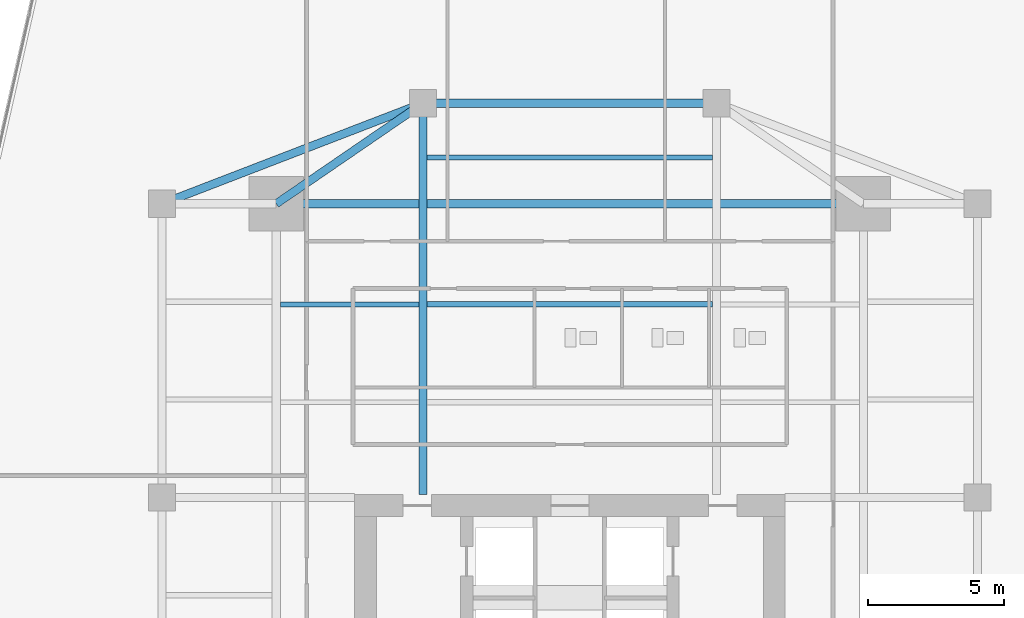
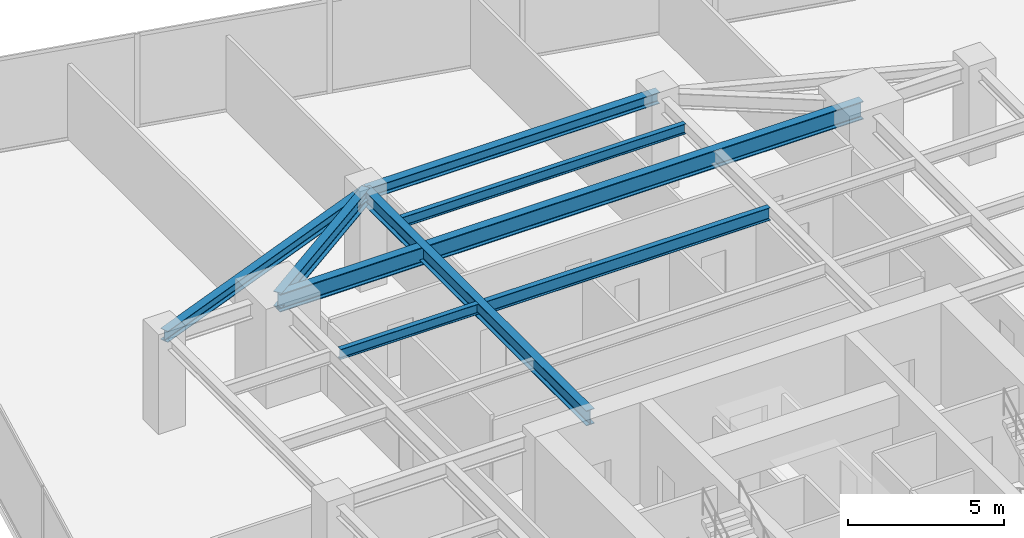
# One storey, part 16 of 27: 8 beams.
"""IFC4 building model written with IfcOpenShell, lengths in metres."""

import ifcopenshell
import ifcopenshell.guid

model = None  # the IFC model being written
_history = None  # IfcOwnerHistory: only IFC2X3 demands one
_inside = {}  # id of a spatial element -> (the spatial element, [elements in it])
_under = {}  # id of a project, library or spatial element -> (it, [spatial elements below it])
_declared = {}  # id of a project -> (the project, [libraries it declares])
_typed = {}  # id of a type object -> (the type object, [elements of that type])
_made_of = {}  # id of a material, layer set ... -> (it, [elements and type objects made of it])


def new_model(schema):
    """Start an empty IFC model of exactly this schema.

    Asked for "IFC4X3", IfcOpenShell would pick the latest addendum, in which some entities
    have other attributes; the version numbers below select the first issue.
    IFC2X3 requires an IfcOwnerHistory on every rooted entity: one is made here for all.
    """
    global model, _history
    if schema == "IFC4X3":
        model = ifcopenshell.file(schema_version=(4, 3, 0, 0))
    else:
        model = ifcopenshell.file(schema=schema)
    _inside.clear()
    _under.clear()
    _declared.clear()
    _typed.clear()
    _made_of.clear()
    _history = None
    if model.schema == "IFC2X3":
        org = make("IfcOrganization", Name="unknown")
        user = make(
            "IfcPersonAndOrganization",
            ThePerson=make("IfcPerson", FamilyName="unknown"),
            TheOrganization=org,
        )
        app = make(
            "IfcApplication",
            ApplicationDeveloper=org,
            Version="unknown",
            ApplicationFullName="unknown",
            ApplicationIdentifier="unknown",
        )
        _history = make(
            "IfcOwnerHistory",
            OwningUser=user,
            OwningApplication=app,
            ChangeAction="ADDED",
            CreationDate=0,
        )
    return model


def make(cls, **values):
    """One entity of the class cls with the attributes given. An attribute that is None is left unset."""
    return model.create_entity(
        cls, **{name: value for name, value in values.items() if value is not None}
    )


def rooted(cls, **values):
    """An entity with a GlobalId (a new one), such as an element, a storey or a relation."""
    return make(cls, GlobalId=ifcopenshell.guid.new(), OwnerHistory=_history, **values)


def si_unit(unit_type, name, prefix=None):
    """IfcSIUnit, for example si_unit("LENGTHUNIT", "METRE", prefix="MILLI")."""
    return make("IfcSIUnit", UnitType=unit_type, Prefix=prefix, Name=name)


def assignment(units):
    """IfcUnitAssignment: the units of a project."""
    return None if units is None else make("IfcUnitAssignment", Units=units)


def point(xyz):
    """IfcCartesianPoint."""
    return None if xyz is None else make("IfcCartesianPoint", Coordinates=xyz)


def direction(xyz):
    """IfcDirection."""
    return None if xyz is None else make("IfcDirection", DirectionRatios=xyz)


def frame(location, z_axis=None, x_axis=None):
    """IfcAxis2Placement3D, a coordinate frame: its origin and axes. An axis left out is left unset."""
    return make(
        "IfcAxis2Placement3D",
        Location=point(location),
        Axis=direction(z_axis),
        RefDirection=direction(x_axis),
    )


def frame_2d(location, x_axis=None):
    """IfcAxis2Placement2D, a coordinate frame in the plane: its origin and x axis."""
    return make(
        "IfcAxis2Placement2D", Location=point(location), RefDirection=direction(x_axis)
    )


def origin():
    """The frame at (0, 0, 0) with its axes left unset."""
    return frame((0.0, 0.0, 0.0))


def origin_2d():
    """The frame at (0, 0) in the plane with its x axis left unset."""
    return frame_2d((0.0, 0.0))


def place(relative_to, where):
    """IfcLocalPlacement: puts the frame where relative to a parent placement (None: the world)."""
    return make(
        "IfcLocalPlacement", PlacementRelTo=relative_to, RelativePlacement=where
    )


def context(
    kind, dimensions, precision=None, world=None, true_north=None, identifier=None
):
    """IfcGeometricRepresentationContext, for example the 3D "Model" context."""
    return make(
        "IfcGeometricRepresentationContext",
        ContextIdentifier=identifier,
        ContextType=kind,
        CoordinateSpaceDimension=dimensions,
        Precision=precision,
        WorldCoordinateSystem=world,
        TrueNorth=true_north,
    )


def subcontext(parent, identifier, kind, view, scale=None):
    """IfcGeometricRepresentationSubContext, for example "Body" below "Model"."""
    return make(
        "IfcGeometricRepresentationSubContext",
        ContextIdentifier=identifier,
        ContextType=kind,
        ParentContext=parent,
        TargetScale=scale,
        TargetView=view,
    )


def project(units=None, contexts=None):
    """IfcProject with its units and contexts."""
    return rooted(
        "IfcProject",
        Name="project",
        RepresentationContexts=contexts,
        UnitsInContext=assignment(units),
    )


def spatial(cls, under=None, at=None, **own):
    """A site, building, storey or space (cls), placed at a placement, below another one or the project."""
    s = rooted(cls, ObjectPlacement=at, **own)
    if under is not None:
        _under.setdefault(under.id(), (under, []))[1].append(s)
    return s


def profile(cls, at=None, kind="AREA", **sizes):
    """A parametric profile (cls). Its sizes go by their IFC names, for example OverallWidth=200.0."""
    return make(cls, ProfileType=kind, Position=at, **sizes)


def i_section(**sizes):
    """IfcIShapeProfileDef."""
    return profile("IfcIShapeProfileDef", **sizes)


def extrude(swept, where, along, depth):
    """IfcExtrudedAreaSolid: the profile swept, set in the frame where, extruded along a direction by depth."""
    return make(
        "IfcExtrudedAreaSolid",
        SweptArea=swept,
        Position=where,
        ExtrudedDirection=direction(along),
        Depth=depth,
    )


def shape(context_of_items, identifier, shape_type, items):
    """IfcShapeRepresentation: the items that make up one representation, for example the "Body"."""
    return make(
        "IfcShapeRepresentation",
        ContextOfItems=context_of_items,
        RepresentationIdentifier=identifier,
        RepresentationType=shape_type,
        Items=items,
    )


def source(mapping_origin, context_of_items, identifier, shape_type, items):
    """IfcRepresentationMap: a shape defined once, which mapped items show again and again."""
    return make(
        "IfcRepresentationMap",
        MappingOrigin=mapping_origin,
        MappedRepresentation=shape(context_of_items, identifier, shape_type, items),
    )


def transform(
    local_origin,
    x_axis=None,
    y_axis=None,
    z_axis=None,
    scale=None,
    scale2=None,
    scale3=None,
    uniform=True,
):
    """IfcCartesianTransformationOperator3D, or its non-uniform kind. x_axis, y_axis, z_axis: its Axis1, 2, 3."""
    if uniform:
        return make(
            "IfcCartesianTransformationOperator3D",
            Axis1=direction(x_axis),
            Axis2=direction(y_axis),
            LocalOrigin=point(local_origin),
            Scale=scale,
            Axis3=direction(z_axis),
        )
    return make(
        "IfcCartesianTransformationOperator3DnonUniform",
        Axis1=direction(x_axis),
        Axis2=direction(y_axis),
        LocalOrigin=point(local_origin),
        Scale=scale,
        Axis3=direction(z_axis),
        Scale2=scale2,
        Scale3=scale3,
    )


def mapped(mapping_source, mapping_target):
    """IfcMappedItem: shows the shape of a source again, moved by a transform."""
    return make(
        "IfcMappedItem", MappingSource=mapping_source, MappingTarget=mapping_target
    )


def material(Name=None, Category=None):
    """IfcMaterial."""
    return make("IfcMaterial", Name=Name, Category=Category)


def material_profile(
    of_material, cross_section, Name=None, Category=None, Priority=None
):
    """IfcMaterialProfile: a cross section and its material."""
    return make(
        "IfcMaterialProfile",
        Name=Name,
        Material=of_material,
        Profile=cross_section,
        Priority=Priority,
        Category=Category,
    )


def profile_set(profiles, Name=None, composite=None):
    """IfcMaterialProfileSet."""
    return make(
        "IfcMaterialProfileSet",
        Name=Name,
        MaterialProfiles=profiles,
        CompositeProfile=composite,
    )


def made_of(thing, what):
    """Note that an element or type object is made of a material, layer set ...; save() writes the relation."""
    if what is not None:
        _made_of.setdefault(what.id(), (what, []))[1].append(thing)
    return thing


def type_object(cls, material=None, **own):
    """A type object (cls), such as IfcWallType, which elements share."""
    return made_of(rooted(cls, **own), material)


def type_shapes(of_type, sources):
    """Give a type object the sources (RepresentationMaps) that its elements show as mapped items."""
    of_type.RepresentationMaps = sources


def element(
    cls,
    number,
    at=None,
    inside=None,
    cuts=None,
    type_object=None,
    material=None,
    context=None,
    identifier="Body",
    shape_type=None,
    held_by="IfcProductDefinitionShape",
    body=None,
    shapes=None,
    **own,
):
    """One element of the class cls, such as IfcWall. Its Tag is "e" and its number.

    at: its placement. inside: the storey or other place that contains it. cuts: it is an
    opening in that element (IfcRelVoidsElement). A single representation is given by context,
    identifier, shape_type and body (its items); several are given by shapes. held_by: the class
    of the entity that holds the representations. save() writes the other relations.
    """
    e = rooted(cls, Tag="e%d" % number, ObjectPlacement=at, **own)
    if body is not None:
        shapes = [shape(context, identifier, shape_type, body)]
    if shapes is not None:
        e.Representation = make(held_by, Representations=shapes)
    if inside is not None:
        _inside.setdefault(inside.id(), (inside, []))[1].append(e)
    if cuts is not None:
        rooted(
            "IfcRelVoidsElement", RelatingBuildingElement=cuts, RelatedOpeningElement=e
        )
    if type_object is not None:
        _typed.setdefault(type_object.id(), (type_object, []))[1].append(e)
    return made_of(e, material)


def aggregate(whole, parts):
    """IfcRelAggregates: a whole, such as a stair, and the parts it consists of."""
    return rooted("IfcRelAggregates", RelatingObject=whole, RelatedObjects=parts)


def save(model, path):
    """Write the relations noted so far, then the file.

    IfcRelAggregates (storeys below a building ...), IfcRelContainedInSpatialStructure (elements
    in a storey), IfcRelDefinesByType, IfcRelAssociatesMaterial and IfcRelDeclares: one each for
    every whole, place, type object, material and project.
    """
    for whole, parts in _under.values():
        aggregate(whole, parts)
    for where, things in _inside.values():
        rooted(
            "IfcRelContainedInSpatialStructure",
            RelatedElements=things,
            RelatingStructure=where,
        )
    for kind, things in _typed.values():
        rooted("IfcRelDefinesByType", RelatedObjects=things, RelatingType=kind)
    for what, things in _made_of.values():
        rooted("IfcRelAssociatesMaterial", RelatedObjects=things, RelatingMaterial=what)
    for by, libraries in _declared.values():
        rooted("IfcRelDeclares", RelatingContext=by, RelatedDefinitions=libraries)
    model.write(path)


model = new_model("IFC4")

# Units and contexts
model_context = context("Model", 3, precision=1e-05, world=origin(), true_north=direction((0.0, 1.0)))
body_context = subcontext(model_context, "Body", "Model", "MODEL_VIEW")
ifc_project = project(units=[si_unit("LENGTHUNIT", "METRE"), si_unit("AREAUNIT", "SQUARE_METRE"), si_unit("VOLUMEUNIT", "CUBIC_METRE"), si_unit("PLANEANGLEUNIT", "RADIAN"), si_unit("MASSUNIT", "GRAM", prefix="KILO")], contexts=[model_context])

# Site, building, storey
site_placement = place(None, origin())
site = spatial("IfcSite", under=ifc_project, at=site_placement, CompositionType="ELEMENT")
building_placement = place(site_placement, origin())
building = spatial("IfcBuilding", under=site, at=building_placement, Name="Krantzveldt Concourse Tower", CompositionType="ELEMENT")
storey_placement = place(building_placement, frame((0.0, 0.0, 86.10009765625)))
storey = spatial("IfcBuildingStorey", under=building, at=storey_placement, Name="L20", CompositionType="ELEMENT", Elevation=86.10009765625)

# Beams
ifc_material_1 = material(Name="Steel S355J2", Category="steel")
ifc_material_profile_1 = material_profile(ifc_material_1, i_section(OverallWidth=0.300048828125, OverallDepth=0.699951171875, WebThickness=0.01708984375, FlangeThickness=0.031982421875, FilletRadius=0.027099609375, at=origin_2d()), Name="Steel S355J2", Category="steel")
ifc_profile_set_1 = profile_set([ifc_material_profile_1], Name="Steel S355J2 - HEB 700")
beam_type_1 = type_object("IfcBeamType", Name="BM-B-HEB700", PredefinedType="BEAM", material=ifc_profile_set_1)
shared_shape_1 = source(origin(), body_context, "Body", "SweptSolid", [
    extrude(i_section(OverallWidth=0.300048828125, OverallDepth=0.699951171875, WebThickness=0.01708984375, FlangeThickness=0.031982421875, FilletRadius=0.027099609375, at=origin_2d()), origin(), (0.0, 0.0, 1.0), 21.60009765625),
])
type_shapes(beam_type_1, [shared_shape_1])
beam_1_placement = place(storey_placement, frame((25.199951171875, 37.5, 3.31982421875), z_axis=(1.0, 0.0, 0.0), x_axis=(0.0, 1.0, 0.0)))
element("IfcBeam", 1, at=beam_1_placement, inside=storey, type_object=beam_type_1, Name="L20 Tower Girder BG-MN", PredefinedType="BEAM", context=body_context, shape_type="MappedRepresentation", body=[
    mapped(shared_shape_1, transform((0.0, 0.0, 0.0), x_axis=(1.0, 0.0, 0.0), y_axis=(0.0, 1.0, 0.0), z_axis=(0.0, 0.0, 1.0), scale=1.0)),
])
ifc_material_2 = material(Name="Steel S355JR", Category="steel")
ifc_material_profile_2 = material_profile(ifc_material_2, i_section(OverallWidth=0.300048828125, OverallDepth=0.590087890625, WebThickness=0.012939453125, FlangeThickness=0.02490234375, FilletRadius=0.027099609375, at=origin_2d()), Name="Steel S355JR", Category="steel")
ifc_profile_set_2 = profile_set([ifc_material_profile_2], Name="Steel S355JR - HEA 600")
beam_type_2 = type_object("IfcBeamType", Name="BM-B-HEA600", PredefinedType="BEAM", material=ifc_profile_set_2)
shared_shape_2 = source(origin(), body_context, "Body", "SweptSolid", [
    extrude(i_section(OverallWidth=0.300048828125, OverallDepth=0.590087890625, WebThickness=0.012939453125, FlangeThickness=0.02490234375, FilletRadius=0.027099609375, at=origin_2d()), origin(), (0.0, 0.0, 1.0), 14.39990234375),
])
beam_2_placement = place(storey_placement, frame((30.60009765625, 26.800048828125, 3.375), z_axis=(0.0, 1.0, 0.0), x_axis=(-1.0, 0.0, 0.0)))
element("IfcBeam", 2, at=beam_2_placement, inside=storey, type_object=beam_type_2, Name="L20 Tower Girder BG-CNW", PredefinedType="BEAM", context=body_context, shape_type="MappedRepresentation", body=[
    mapped(shared_shape_2, transform((0.0, 0.0, 0.0), x_axis=(1.0, 0.0, 0.0), y_axis=(0.0, 1.0, 0.0), z_axis=(0.0, 0.0, 1.0), scale=1.0)),
])
ifc_material_profile_3 = material_profile(ifc_material_2, i_section(OverallWidth=0.300048828125, OverallDepth=0.43994140625, WebThickness=0.011474609375, FlangeThickness=0.02099609375, FilletRadius=0.027099609375, at=origin_2d()), Name="Steel S355JR", Category="steel")
ifc_profile_set_3 = profile_set([ifc_material_profile_3], Name="Steel S355JR - HEA 450")
beam_type_3 = type_object("IfcBeamType", Name="BM-SP-HEA450", PredefinedType="SPANDREL", material=ifc_profile_set_3)
shared_shape_3 = source(origin(), body_context, "Body", "SweptSolid", [
    extrude(i_section(OverallWidth=0.300048828125, OverallDepth=0.43994140625, WebThickness=0.011474609375, FlangeThickness=0.02099609375, FilletRadius=0.027099609375, at=origin_2d()), origin(), (0.0, 0.0, 1.0), 10.288330078125),
])
beam_3_placement = place(storey_placement, frame((21.0, 37.5, 3.449951171875), z_axis=(0.933097690408, 0.359622997257, 0.0), x_axis=(-0.359622997257, 0.933097690408, 0.0)))
element("IfcBeam", 3, at=beam_3_placement, inside=storey, type_object=beam_type_3, Name="L20 Tower Girder SP-R03", PredefinedType="SPANDREL", context=body_context, shape_type="MappedRepresentation", body=[
    mapped(shared_shape_3, transform((0.0, 0.0, 0.0), x_axis=(1.0, 0.0, 0.0), y_axis=(0.0, 1.0, 0.0), z_axis=(0.0, 0.0, 1.0), scale=1.0)),
])
shared_shape_4 = source(origin(), body_context, "Body", "SweptSolid", [
    extrude(i_section(OverallWidth=0.300048828125, OverallDepth=0.43994140625, WebThickness=0.011474609375, FlangeThickness=0.02099609375, FilletRadius=0.027099609375, at=origin_2d()), origin(), (0.0, 0.0, 1.0), 10.7998046875),
])
type_shapes(beam_type_3, [shared_shape_3, shared_shape_4])
beam_4_placement = place(storey_placement, frame((30.60009765625, 41.199951171875, 3.449951171875), z_axis=(1.0, 0.0, 0.0), x_axis=(0.0, 1.0, 0.0)))
element("IfcBeam", 4, at=beam_4_placement, inside=storey, type_object=beam_type_3, Name="L20 Tower Girder SP-R04", PredefinedType="SPANDREL", context=body_context, shape_type="MappedRepresentation", body=[
    mapped(shared_shape_4, transform((0.0, 0.0, 0.0), x_axis=(1.0, 0.0, 0.0), y_axis=(0.0, 1.0, 0.0), z_axis=(0.0, 0.0, 1.0), scale=1.0)),
])
shared_shape_5 = source(origin(), body_context, "Body", "SweptSolid", [
    extrude(i_section(OverallWidth=0.300048828125, OverallDepth=0.590087890625, WebThickness=0.012939453125, FlangeThickness=0.02490234375, FilletRadius=0.027099609375, at=origin_2d()), origin(), (0.0, 0.0, 1.0), 6.546142578125),
])
type_shapes(beam_type_2, [shared_shape_2, shared_shape_5])
beam_5_placement = place(storey_placement, frame((25.199951171875, 37.5, 3.375), z_axis=(0.824942999484, 0.565215930068, 0.0), x_axis=(-0.565215930068, 0.824942999484, 0.0)))
element("IfcBeam", 5, at=beam_5_placement, inside=storey, type_object=beam_type_2, Name="L20 Tower Girder BR-RL4", PredefinedType="BEAM", context=body_context, shape_type="MappedRepresentation", body=[
    mapped(shared_shape_5, transform((0.0, 0.0, 0.0), x_axis=(1.0, 0.0, 0.0), y_axis=(0.0, 1.0, 0.0), z_axis=(0.0, 0.0, 1.0), scale=1.0)),
])
ifc_material_profile_4 = material_profile(ifc_material_2, i_section(OverallWidth=0.199951171875, OverallDepth=0.5, WebThickness=0.01025390625, FlangeThickness=0.01611328125, FilletRadius=0.02099609375, at=origin_2d()), Name="Steel S355JR", Category="steel")
ifc_profile_set_4 = profile_set([ifc_material_profile_4], Name="Steel S355JR - IPE 500")
beam_type_4 = type_object("IfcBeamType", Name="BM-J-IPE500", PredefinedType="JOIST", material=ifc_profile_set_4)
shared_shape_6 = source(origin(), body_context, "Body", "SweptSolid", [
    extrude(i_section(OverallWidth=0.199951171875, OverallDepth=0.5, WebThickness=0.01025390625, FlangeThickness=0.01611328125, FilletRadius=0.02099609375, at=origin_2d()), origin(), (0.0, 0.0, 1.0), 10.5),
])
type_shapes(beam_type_4, [shared_shape_6])
beam_6_placement = place(storey_placement, frame((30.75, 33.800048828125, 3.419921875), z_axis=(1.0, 0.0, 0.0), x_axis=(0.0, 1.0, 0.0)))
element("IfcBeam", 6, at=beam_6_placement, inside=storey, type_object=beam_type_4, Name="L20 Secondary Floor Joist JN-C2", PredefinedType="JOIST", context=body_context, shape_type="MappedRepresentation", body=[
    mapped(shared_shape_6, transform((0.0, 0.0, 0.0), x_axis=(1.0, 0.0, 0.0), y_axis=(0.0, 1.0, 0.0), z_axis=(0.0, 0.0, 1.0), scale=1.0)),
])
ifc_material_profile_5 = material_profile(ifc_material_2, i_section(OverallWidth=0.179931640625, OverallDepth=0.39990234375, WebThickness=0.008544921875, FlangeThickness=0.013427734375, FilletRadius=0.02099609375, at=origin_2d()), Name="Steel S355JR", Category="steel")
ifc_profile_set_5 = profile_set([ifc_material_profile_5], Name="Steel S355JR - IPE 400")
beam_type_5 = type_object("IfcBeamType", Name="BM-J-IPE400", PredefinedType="JOIST", material=ifc_profile_set_5)
shared_shape_7 = source(origin(), body_context, "Body", "SweptSolid", [
    extrude(i_section(OverallWidth=0.179931640625, OverallDepth=0.39990234375, WebThickness=0.008544921875, FlangeThickness=0.013427734375, FilletRadius=0.02099609375, at=origin_2d()), origin(), (0.0, 0.0, 1.0), 10.5),
])
beam_7_placement = place(storey_placement, frame((30.75, 39.199951171875, 3.469970703125), z_axis=(1.0, 0.0, 0.0), x_axis=(0.0, 1.0, 0.0)))
element("IfcBeam", 7, at=beam_7_placement, inside=storey, type_object=beam_type_5, Name="L20 Secondary Floor Joist JN-C3", PredefinedType="JOIST", context=body_context, shape_type="MappedRepresentation", body=[
    mapped(shared_shape_7, transform((0.0, 0.0, 0.0), x_axis=(1.0, 0.0, 0.0), y_axis=(0.0, 1.0, 0.0), z_axis=(0.0, 0.0, 1.0), scale=1.0)),
])
shared_shape_8 = source(origin(), body_context, "Body", "SweptSolid", [
    extrude(i_section(OverallWidth=0.179931640625, OverallDepth=0.39990234375, WebThickness=0.008544921875, FlangeThickness=0.013427734375, FilletRadius=0.02099609375, at=origin_2d()), origin(), (0.0, 0.0, 1.0), 5.099853515625),
])
type_shapes(beam_type_5, [shared_shape_7, shared_shape_8])
beam_8_placement = place(storey_placement, frame((25.35009765625, 33.800048828125, 3.469970703125), z_axis=(1.0, 0.0, 0.0), x_axis=(0.0, 1.0, 0.0)))
element("IfcBeam", 8, at=beam_8_placement, inside=storey, type_object=beam_type_5, Name="L20 Secondary Floor Joist JN-W2", PredefinedType="JOIST", context=body_context, shape_type="MappedRepresentation", body=[
    mapped(shared_shape_8, transform((0.0, 0.0, 0.0), x_axis=(1.0, 0.0, 0.0), y_axis=(0.0, 1.0, 0.0), z_axis=(0.0, 0.0, 1.0), scale=1.0)),
])

save(model, "model.ifc")
